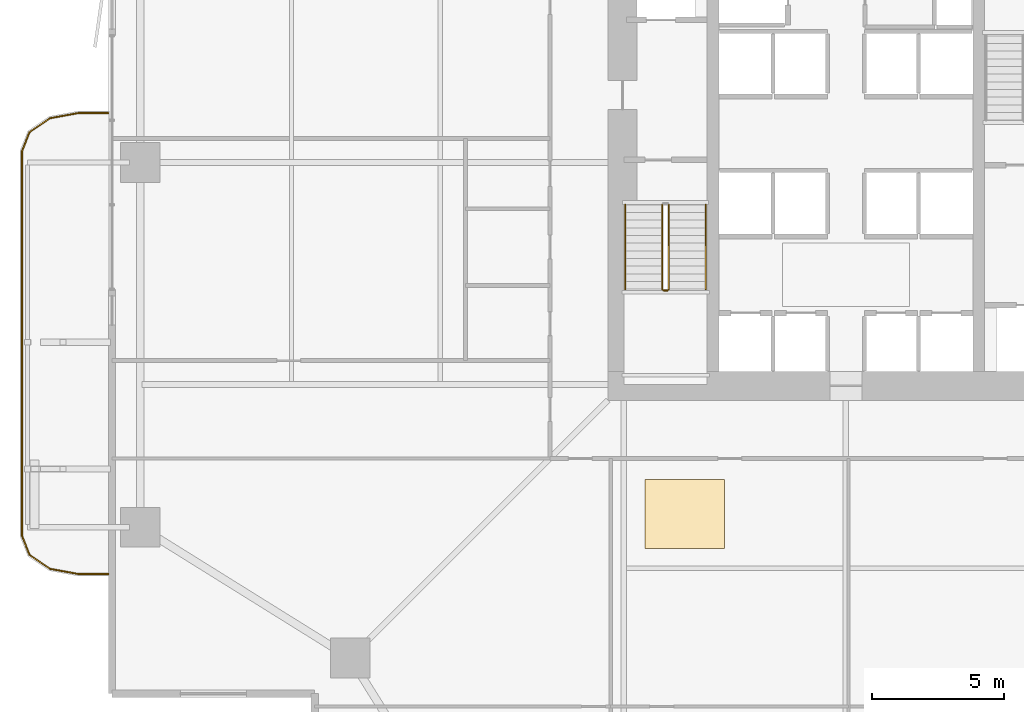
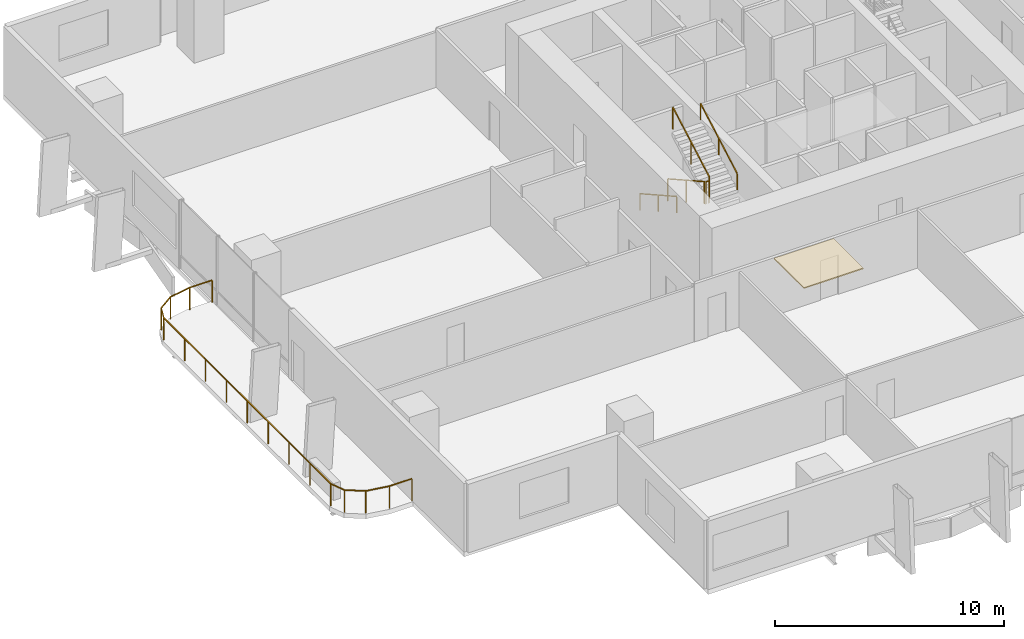
# One storey, part 21 of 24: 6 railings, 1 covering.
"""IFC4 building model written with IfcOpenShell, lengths in metres."""

import ifcopenshell
import ifcopenshell.guid

model = None  # the IFC model being written
_history = None  # IfcOwnerHistory: only IFC2X3 demands one
_inside = {}  # id of a spatial element -> (the spatial element, [elements in it])
_under = {}  # id of a project, library or spatial element -> (it, [spatial elements below it])
_declared = {}  # id of a project -> (the project, [libraries it declares])
_typed = {}  # id of a type object -> (the type object, [elements of that type])
_made_of = {}  # id of a material, layer set ... -> (it, [elements and type objects made of it])


def new_model(schema):
    """Start an empty IFC model of exactly this schema.

    Asked for "IFC4X3", IfcOpenShell would pick the latest addendum, in which some entities
    have other attributes; the version numbers below select the first issue.
    IFC2X3 requires an IfcOwnerHistory on every rooted entity: one is made here for all.
    """
    global model, _history
    if schema == "IFC4X3":
        model = ifcopenshell.file(schema_version=(4, 3, 0, 0))
    else:
        model = ifcopenshell.file(schema=schema)
    _inside.clear()
    _under.clear()
    _declared.clear()
    _typed.clear()
    _made_of.clear()
    _history = None
    if model.schema == "IFC2X3":
        org = make("IfcOrganization", Name="unknown")
        user = make(
            "IfcPersonAndOrganization",
            ThePerson=make("IfcPerson", FamilyName="unknown"),
            TheOrganization=org,
        )
        app = make(
            "IfcApplication",
            ApplicationDeveloper=org,
            Version="unknown",
            ApplicationFullName="unknown",
            ApplicationIdentifier="unknown",
        )
        _history = make(
            "IfcOwnerHistory",
            OwningUser=user,
            OwningApplication=app,
            ChangeAction="ADDED",
            CreationDate=0,
        )
    return model


def make(cls, **values):
    """One entity of the class cls with the attributes given. An attribute that is None is left unset."""
    return model.create_entity(
        cls, **{name: value for name, value in values.items() if value is not None}
    )


def rooted(cls, **values):
    """An entity with a GlobalId (a new one), such as an element, a storey or a relation."""
    return make(cls, GlobalId=ifcopenshell.guid.new(), OwnerHistory=_history, **values)


def si_unit(unit_type, name, prefix=None):
    """IfcSIUnit, for example si_unit("LENGTHUNIT", "METRE", prefix="MILLI")."""
    return make("IfcSIUnit", UnitType=unit_type, Prefix=prefix, Name=name)


def assignment(units):
    """IfcUnitAssignment: the units of a project."""
    return None if units is None else make("IfcUnitAssignment", Units=units)


def point(xyz):
    """IfcCartesianPoint."""
    return None if xyz is None else make("IfcCartesianPoint", Coordinates=xyz)


def direction(xyz):
    """IfcDirection."""
    return None if xyz is None else make("IfcDirection", DirectionRatios=xyz)


def frame(location, z_axis=None, x_axis=None):
    """IfcAxis2Placement3D, a coordinate frame: its origin and axes. An axis left out is left unset."""
    return make(
        "IfcAxis2Placement3D",
        Location=point(location),
        Axis=direction(z_axis),
        RefDirection=direction(x_axis),
    )


def frame_2d(location, x_axis=None):
    """IfcAxis2Placement2D, a coordinate frame in the plane: its origin and x axis."""
    return make(
        "IfcAxis2Placement2D", Location=point(location), RefDirection=direction(x_axis)
    )


def origin():
    """The frame at (0, 0, 0) with its axes left unset."""
    return frame((0.0, 0.0, 0.0))


def origin_2d():
    """The frame at (0, 0) in the plane with its x axis left unset."""
    return frame_2d((0.0, 0.0))


def place(relative_to, where):
    """IfcLocalPlacement: puts the frame where relative to a parent placement (None: the world)."""
    return make(
        "IfcLocalPlacement", PlacementRelTo=relative_to, RelativePlacement=where
    )


def context(
    kind, dimensions, precision=None, world=None, true_north=None, identifier=None
):
    """IfcGeometricRepresentationContext, for example the 3D "Model" context."""
    return make(
        "IfcGeometricRepresentationContext",
        ContextIdentifier=identifier,
        ContextType=kind,
        CoordinateSpaceDimension=dimensions,
        Precision=precision,
        WorldCoordinateSystem=world,
        TrueNorth=true_north,
    )


def subcontext(parent, identifier, kind, view, scale=None):
    """IfcGeometricRepresentationSubContext, for example "Body" below "Model"."""
    return make(
        "IfcGeometricRepresentationSubContext",
        ContextIdentifier=identifier,
        ContextType=kind,
        ParentContext=parent,
        TargetScale=scale,
        TargetView=view,
    )


def project(units=None, contexts=None):
    """IfcProject with its units and contexts."""
    return rooted(
        "IfcProject",
        Name="project",
        RepresentationContexts=contexts,
        UnitsInContext=assignment(units),
    )


def spatial(cls, under=None, at=None, **own):
    """A site, building, storey or space (cls), placed at a placement, below another one or the project."""
    s = rooted(cls, ObjectPlacement=at, **own)
    if under is not None:
        _under.setdefault(under.id(), (under, []))[1].append(s)
    return s


def polyline(points):
    """IfcPolyline through the points."""
    return make("IfcPolyline", Points=[point(p) for p in points])


def profile(cls, at=None, kind="AREA", **sizes):
    """A parametric profile (cls). Its sizes go by their IFC names, for example OverallWidth=200.0."""
    return make(cls, ProfileType=kind, Position=at, **sizes)


def rectangle(**sizes):
    """IfcRectangleProfileDef."""
    return profile("IfcRectangleProfileDef", **sizes)


def outline(outer, holes=None, kind="AREA"):
    """IfcArbitraryClosedProfileDef: a profile drawn as a closed curve; with holes, ...WithVoids."""
    if holes is None:
        return make("IfcArbitraryClosedProfileDef", ProfileType=kind, OuterCurve=outer)
    return make(
        "IfcArbitraryProfileDefWithVoids",
        ProfileType=kind,
        OuterCurve=outer,
        InnerCurves=holes,
    )


def extrude(swept, where, along, depth):
    """IfcExtrudedAreaSolid: the profile swept, set in the frame where, extruded along a direction by depth."""
    return make(
        "IfcExtrudedAreaSolid",
        SweptArea=swept,
        Position=where,
        ExtrudedDirection=direction(along),
        Depth=depth,
    )


def shape(context_of_items, identifier, shape_type, items):
    """IfcShapeRepresentation: the items that make up one representation, for example the "Body"."""
    return make(
        "IfcShapeRepresentation",
        ContextOfItems=context_of_items,
        RepresentationIdentifier=identifier,
        RepresentationType=shape_type,
        Items=items,
    )


def material(Name=None, Category=None):
    """IfcMaterial."""
    return make("IfcMaterial", Name=Name, Category=Category)


def layer(
    of_material, thickness, ventilated=None, Name=None, Category=None, Priority=None
):
    """IfcMaterialLayer: one layer of a wall or slab, of a material (None: an air gap)."""
    return make(
        "IfcMaterialLayer",
        Material=of_material,
        LayerThickness=thickness,
        IsVentilated=ventilated,
        Name=Name,
        Category=Category,
        Priority=Priority,
    )


def layer_set(layers, Name=None):
    """IfcMaterialLayerSet."""
    return make("IfcMaterialLayerSet", MaterialLayers=layers, LayerSetName=Name)


def made_of(thing, what):
    """Note that an element or type object is made of a material, layer set ...; save() writes the relation."""
    if what is not None:
        _made_of.setdefault(what.id(), (what, []))[1].append(thing)
    return thing


def type_object(cls, material=None, **own):
    """A type object (cls), such as IfcWallType, which elements share."""
    return made_of(rooted(cls, **own), material)


def element(
    cls,
    number,
    at=None,
    inside=None,
    cuts=None,
    type_object=None,
    material=None,
    context=None,
    identifier="Body",
    shape_type=None,
    held_by="IfcProductDefinitionShape",
    body=None,
    shapes=None,
    **own,
):
    """One element of the class cls, such as IfcWall. Its Tag is "e" and its number.

    at: its placement. inside: the storey or other place that contains it. cuts: it is an
    opening in that element (IfcRelVoidsElement). A single representation is given by context,
    identifier, shape_type and body (its items); several are given by shapes. held_by: the class
    of the entity that holds the representations. save() writes the other relations.
    """
    e = rooted(cls, Tag="e%d" % number, ObjectPlacement=at, **own)
    if body is not None:
        shapes = [shape(context, identifier, shape_type, body)]
    if shapes is not None:
        e.Representation = make(held_by, Representations=shapes)
    if inside is not None:
        _inside.setdefault(inside.id(), (inside, []))[1].append(e)
    if cuts is not None:
        rooted(
            "IfcRelVoidsElement", RelatingBuildingElement=cuts, RelatedOpeningElement=e
        )
    if type_object is not None:
        _typed.setdefault(type_object.id(), (type_object, []))[1].append(e)
    return made_of(e, material)


def aggregate(whole, parts):
    """IfcRelAggregates: a whole, such as a stair, and the parts it consists of."""
    return rooted("IfcRelAggregates", RelatingObject=whole, RelatedObjects=parts)


def save(model, path):
    """Write the relations noted so far, then the file.

    IfcRelAggregates (storeys below a building ...), IfcRelContainedInSpatialStructure (elements
    in a storey), IfcRelDefinesByType, IfcRelAssociatesMaterial and IfcRelDeclares: one each for
    every whole, place, type object, material and project.
    """
    for whole, parts in _under.values():
        aggregate(whole, parts)
    for where, things in _inside.values():
        rooted(
            "IfcRelContainedInSpatialStructure",
            RelatedElements=things,
            RelatingStructure=where,
        )
    for kind, things in _typed.values():
        rooted("IfcRelDefinesByType", RelatedObjects=things, RelatingType=kind)
    for what, things in _made_of.values():
        rooted("IfcRelAssociatesMaterial", RelatedObjects=things, RelatingMaterial=what)
    for by, libraries in _declared.values():
        rooted("IfcRelDeclares", RelatingContext=by, RelatedDefinitions=libraries)
    model.write(path)


model = new_model("IFC4")

# Units and contexts
model_context = context("Model", 3, precision=1e-05, world=origin(), true_north=direction((0.0, 1.0)))
body_context = subcontext(model_context, "Body", "Model", "MODEL_VIEW")
ifc_project = project(units=[si_unit("LENGTHUNIT", "METRE"), si_unit("AREAUNIT", "SQUARE_METRE"), si_unit("VOLUMEUNIT", "CUBIC_METRE"), si_unit("PLANEANGLEUNIT", "RADIAN"), si_unit("MASSUNIT", "GRAM", prefix="KILO")], contexts=[model_context])

# Site, building, storey
site_placement = place(None, origin())
site = spatial("IfcSite", under=ifc_project, at=site_placement, CompositionType="ELEMENT")
building_placement = place(site_placement, origin())
building = spatial("IfcBuilding", under=site, at=building_placement, Name="Belovzor Exchange Tower", CompositionType="ELEMENT")
storey_placement = place(building_placement, frame((0.0, 0.0, 49.5)))
storey = spatial("IfcBuildingStorey", under=building, at=storey_placement, Name="L11", CompositionType="ELEMENT", Elevation=49.5)

# Railings
ifc_material_1 = material(Name="Stainless Steel Grade 304", Category="steel")
railing_type_1 = type_object("IfcRailingType", Name="Brushed Stainless Steel Stair Handrail 900", PredefinedType="HANDRAIL", material=ifc_material_1)
railing_1_placement = place(storey_placement, frame((20.449951171875, 27.199951171875, 0.16259765625)))
element("IfcRailing", 1, at=railing_1_placement, inside=storey, type_object=railing_type_1, Name="L11 ST-1 stair handrail 1", PredefinedType="HANDRAIL", context=body_context, shape_type="SweptSolid", body=[
    extrude(rectangle(XDim=0.048095703125, YDim=0.048095703125, at=origin_2d()), frame((0.0, 0.0, 0.8759765625), z_axis=(0.0, -0.872390997893, 0.488808701636), x_axis=(1.0, 0.0, 0.0)), (0.0, 0.0, 1.0), 3.656494140625),
    extrude(rectangle(XDim=0.0419921875, YDim=0.0419921875, at=origin_2d()), origin(), (0.0, 0.0, 1.0), 0.851806640625),
    extrude(rectangle(XDim=0.0419921875, YDim=0.0419921875, at=origin_2d()), frame((0.0, -1.594970703125, 0.8935546875)), (0.0, 0.0, 1.0), 0.851806640625),
    extrude(rectangle(XDim=0.0419921875, YDim=0.0419921875, at=origin_2d()), frame((0.0, -3.18994140625, 1.787353515625)), (0.0, 0.0, 1.0), 0.851806640625),
])
railing_2_placement = place(storey_placement, frame((23.5, 24.010009765625, 2.112548828125)))
element("IfcRailing", 2, at=railing_2_placement, inside=storey, type_object=railing_type_1, Name="L11 ST-1 stair handrail 2", PredefinedType="HANDRAIL", context=body_context, shape_type="SweptSolid", body=[
    extrude(rectangle(XDim=0.048095703125, YDim=0.048095703125, at=origin_2d()), frame((0.0, 0.0, 0.8759765625), z_axis=(0.0, 0.872390997893, 0.488808701636), x_axis=(-1.0, 0.0, 0.0)), (0.0, 0.0, 1.0), 3.656494140625),
    extrude(rectangle(XDim=0.0419921875, YDim=0.0419921875, at=origin_2d()), origin(), (0.0, 0.0, 1.0), 0.851806640625),
    extrude(rectangle(XDim=0.0419921875, YDim=0.0419921875, at=origin_2d()), frame((0.0, 1.594970703125, 0.8935546875)), (0.0, 0.0, 1.0), 0.851806640625),
    extrude(rectangle(XDim=0.0419921875, YDim=0.0419921875, at=origin_2d()), frame((0.0, 3.18994140625, 1.787353515625)), (0.0, 0.0, 1.0), 0.851806640625),
])
ifc_material_2 = material(Name="Stainless Steel and Laminated Safety Glass", Category="steel")
railing_type_2 = type_object("IfcRailingType", Name="Laminated Glass & Stainless Steel Balcony Balustrade 1200", PredefinedType="BALUSTRADE", material=ifc_material_2)
railing_3_placement = place(storey_placement, frame((0.889892578125, 30.669921875, 0.0)))
element("IfcRailing", 3, at=railing_3_placement, inside=storey, type_object=railing_type_2, Name="GR-1 Balcony Balustrade L11 West", PredefinedType="BALUSTRADE", context=body_context, shape_type="SweptSolid", body=[
    extrude(rectangle(XDim=0.048095703125, YDim=0.048095703125, at=origin_2d()), frame((0.0, 0.0, 1.17578125), z_axis=(-1.0, 0.0, 0.0), x_axis=(0.0, -1.0, 0.0)), (0.0, 0.0, 1.0), 1.1328125),
    extrude(rectangle(XDim=0.048095703125, YDim=0.048095703125, at=origin_2d()), frame((-1.1328125, 0.0, 1.17578125), z_axis=(-0.983651385113, -0.180083182347, 0.0), x_axis=(0.180083182347, -0.983651385113, 0.0)), (0.0, 0.0, 1.0), 1.093994140625),
    extrude(rectangle(XDim=0.048095703125, YDim=0.048095703125, at=origin_2d()), frame((-2.208984375, -0.197021484375, 1.17578125), z_axis=(-0.826614792125, -0.562768145367, 0.0), x_axis=(0.562768145367, -0.826614792125, 0.0)), (0.0, 0.0, 1.0), 0.9326171875),
    extrude(rectangle(XDim=0.048095703125, YDim=0.048095703125, at=origin_2d()), frame((-2.97998046875, -0.721923828125, 1.17578125), z_axis=(-0.365612923861, -0.930766990125, 0.0), x_axis=(0.930766990125, -0.365612923861, 0.0)), (0.0, 0.0, 1.0), 0.765869140625),
    extrude(rectangle(XDim=0.048095703125, YDim=0.048095703125, at=origin_2d()), frame((-3.260009765625, -1.434814453125, 1.17578125), z_axis=(0.0, -1.0, 0.0), x_axis=(1.0, 0.0, 0.0)), (0.0, 0.0, 1.0), 14.570068359375),
    extrude(rectangle(XDim=0.048095703125, YDim=0.048095703125, at=origin_2d()), frame((-3.260009765625, -16.0048828125, 1.17578125), z_axis=(0.365504480807, -0.930809580156, 0.0), x_axis=(0.930809580156, 0.365504480807, 0.0)), (0.0, 0.0, 1.0), 0.76611328125),
    extrude(rectangle(XDim=0.048095703125, YDim=0.048095703125, at=origin_2d()), frame((-2.97998046875, -16.718017578125, 1.17578125), z_axis=(0.826614792125, -0.562768145367, 0.0), x_axis=(0.562768145367, 0.826614792125, 0.0)), (0.0, 0.0, 1.0), 0.9326171875),
    extrude(rectangle(XDim=0.048095703125, YDim=0.048095703125, at=origin_2d()), frame((-2.208984375, -17.242919921875, 1.17578125), z_axis=(0.983651385113, -0.180083182347, 0.0), x_axis=(0.180083182347, 0.983651385113, 0.0)), (0.0, 0.0, 1.0), 1.093994140625),
    extrude(rectangle(XDim=0.048095703125, YDim=0.048095703125, at=origin_2d()), frame((-1.1328125, -17.43994140625, 1.17578125), z_axis=(1.0, 0.0, 0.0), x_axis=(0.0, 1.0, 0.0)), (0.0, 0.0, 1.0), 1.1328125),
    extrude(rectangle(XDim=0.0419921875, YDim=0.0419921875, at=origin_2d()), origin(), (0.0, 0.0, 1.0), 1.15185546875),
    extrude(rectangle(XDim=0.0419921875, YDim=0.0419921875, at=origin_2d()), frame((-1.1328125, 0.0, 0.0)), (0.0, 0.0, 1.0), 1.15185546875),
    extrude(rectangle(XDim=0.0419921875, YDim=0.0419921875, at=origin_2d()), frame((-2.208984375, -0.197021484375, 0.0)), (0.0, 0.0, 1.0), 1.15185546875),
    extrude(rectangle(XDim=0.0419921875, YDim=0.0419921875, at=origin_2d()), frame((-2.97998046875, -0.721923828125, 0.0)), (0.0, 0.0, 1.0), 1.15185546875),
    extrude(rectangle(XDim=0.0419921875, YDim=0.0419921875, at=origin_2d()), frame((-3.260009765625, -1.434814453125, 0.0)), (0.0, 0.0, 1.0), 1.15185546875),
    extrude(rectangle(XDim=0.0419921875, YDim=0.0419921875, at=origin_2d()), frame((-3.260009765625, -3.256103515625, 0.0)), (0.0, 0.0, 1.0), 1.15185546875),
    extrude(rectangle(XDim=0.0419921875, YDim=0.0419921875, at=origin_2d()), frame((-3.260009765625, -5.077392578125, 0.0)), (0.0, 0.0, 1.0), 1.15185546875),
    extrude(rectangle(XDim=0.0419921875, YDim=0.0419921875, at=origin_2d()), frame((-3.260009765625, -6.898681640625, 0.0)), (0.0, 0.0, 1.0), 1.15185546875),
    extrude(rectangle(XDim=0.0419921875, YDim=0.0419921875, at=origin_2d()), frame((-3.260009765625, -8.7197265625, 0.0)), (0.0, 0.0, 1.0), 1.15185546875),
    extrude(rectangle(XDim=0.0419921875, YDim=0.0419921875, at=origin_2d()), frame((-3.260009765625, -10.541015625, 0.0)), (0.0, 0.0, 1.0), 1.15185546875),
    extrude(rectangle(XDim=0.0419921875, YDim=0.0419921875, at=origin_2d()), frame((-3.260009765625, -12.3623046875, 0.0)), (0.0, 0.0, 1.0), 1.15185546875),
    extrude(rectangle(XDim=0.0419921875, YDim=0.0419921875, at=origin_2d()), frame((-3.260009765625, -14.18359375, 0.0)), (0.0, 0.0, 1.0), 1.15185546875),
    extrude(rectangle(XDim=0.0419921875, YDim=0.0419921875, at=origin_2d()), frame((-3.260009765625, -16.0048828125, 0.0)), (0.0, 0.0, 1.0), 1.15185546875),
    extrude(rectangle(XDim=0.0419921875, YDim=0.0419921875, at=origin_2d()), frame((-2.97998046875, -16.718017578125, 0.0)), (0.0, 0.0, 1.0), 1.15185546875),
    extrude(rectangle(XDim=0.0419921875, YDim=0.0419921875, at=origin_2d()), frame((-2.208984375, -17.242919921875, 0.0)), (0.0, 0.0, 1.0), 1.15185546875),
    extrude(rectangle(XDim=0.0419921875, YDim=0.0419921875, at=origin_2d()), frame((-1.1328125, -17.43994140625, 0.0)), (0.0, 0.0, 1.0), 1.15185546875),
    extrude(rectangle(XDim=0.0419921875, YDim=0.0419921875, at=origin_2d()), frame((0.0, -17.43994140625, 0.0)), (0.0, 0.0, 1.0), 1.15185546875),
])
ifc_material_3 = material(Name="Steel S355", Category="steel")
railing_type_3 = type_object("IfcRailingType", Name="Painted Steel Stairwell Guardrail 1200", PredefinedType="GUARDRAIL", material=ifc_material_3)
railing_4_placement = place(storey_placement, frame((21.85009765625, 27.199951171875, 0.16259765625)))
element("IfcRailing", 4, at=railing_4_placement, inside=storey, type_object=railing_type_3, Name="L11 ST-1 stair guard 1", PredefinedType="GUARDRAIL", context=body_context, shape_type="SweptSolid", body=[
    extrude(rectangle(XDim=0.048095703125, YDim=0.048095703125, at=origin_2d()), frame((0.0, 0.0, 1.17578125), z_axis=(0.0, -0.872390997893, 0.488808701636), x_axis=(1.0, 0.0, 0.0)), (0.0, 0.0, 1.0), 3.656494140625),
    extrude(rectangle(XDim=0.0419921875, YDim=0.0419921875, at=origin_2d()), origin(), (0.0, 0.0, 1.0), 1.15185546875),
    extrude(rectangle(XDim=0.0419921875, YDim=0.0419921875, at=origin_2d()), frame((0.0, -1.594970703125, 0.8935546875)), (0.0, 0.0, 1.0), 1.15185546875),
    extrude(rectangle(XDim=0.0419921875, YDim=0.0419921875, at=origin_2d()), frame((0.0, -3.18994140625, 1.787353515625)), (0.0, 0.0, 1.0), 1.15185546875),
])
railing_5_placement = place(storey_placement, frame((21.89990234375, 23.9599609375, 1.949951171875)))
element("IfcRailing", 5, at=railing_5_placement, inside=storey, type_object=railing_type_3, Name="L11 ST-1 stair guard 2", PredefinedType="GUARDRAIL", context=body_context, shape_type="SweptSolid", body=[
    extrude(rectangle(XDim=0.048095703125, YDim=0.048095703125, at=origin_2d()), frame((0.0, 0.0, 1.17578125), z_axis=(1.0, 0.0, 0.0), x_axis=(0.0, 1.0, 0.0)), (0.0, 0.0, 1.0), 0.150146484375),
    extrude(rectangle(XDim=0.0419921875, YDim=0.0419921875, at=origin_2d()), origin(), (0.0, 0.0, 1.0), 1.15185546875),
    extrude(rectangle(XDim=0.0419921875, YDim=0.0419921875, at=origin_2d()), frame((0.150146484375, 0.0, 0.0)), (0.0, 0.0, 1.0), 1.15185546875),
])
railing_6_placement = place(storey_placement, frame((22.10009765625, 24.010009765625, 2.112548828125)))
element("IfcRailing", 6, at=railing_6_placement, inside=storey, type_object=railing_type_3, Name="L11 ST-1 stair guard 3", PredefinedType="GUARDRAIL", context=body_context, shape_type="SweptSolid", body=[
    extrude(rectangle(XDim=0.048095703125, YDim=0.048095703125, at=origin_2d()), frame((0.0, 0.0, 1.17578125), z_axis=(0.0, 0.872390997893, 0.488808701636), x_axis=(-1.0, 0.0, 0.0)), (0.0, 0.0, 1.0), 3.656494140625),
    extrude(rectangle(XDim=0.0419921875, YDim=0.0419921875, at=origin_2d()), origin(), (0.0, 0.0, 1.0), 1.15185546875),
    extrude(rectangle(XDim=0.0419921875, YDim=0.0419921875, at=origin_2d()), frame((0.0, 1.594970703125, 0.8935546875)), (0.0, 0.0, 1.0), 1.15185546875),
    extrude(rectangle(XDim=0.0419921875, YDim=0.0419921875, at=origin_2d()), frame((0.0, 3.18994140625, 1.787353515625)), (0.0, 0.0, 1.0), 1.15185546875),
])

# Covering
ifc_material_4 = material(Name="Perforated Powder-Coated Aluminium", Category="aluminium")
ifc_layer = layer(ifc_material_4, 0.06005859375)
ifc_layer_set = layer_set([ifc_layer], Name="Perforated Powder-Coated Aluminium")
covering_type = type_object("IfcCoveringType", Name="Perforated Acoustic Metal Tile Suspended Ceiling 60", PredefinedType="CEILING", material=ifc_layer_set)
covering_placement = place(storey_placement, frame((0.0, 0.0, 3.590087890625)))
element("IfcCovering", 7, at=covering_placement, inside=storey, type_object=covering_type, Name="CLG-AC60 Suspended Ceiling CLG-L11-Z0", PredefinedType="CEILING", context=body_context, shape_type="SweptSolid", body=[
    extrude(outline(polyline([(21.199951171875, 14.199951171875), (24.199951171875, 14.199951171875), (24.199951171875, 16.800048828125), (21.199951171875, 16.800048828125), (21.199951171875, 14.199951171875)])), origin(), (0.0, 0.0, 1.0), 0.059814453125),
])

save(model, "model.ifc")
